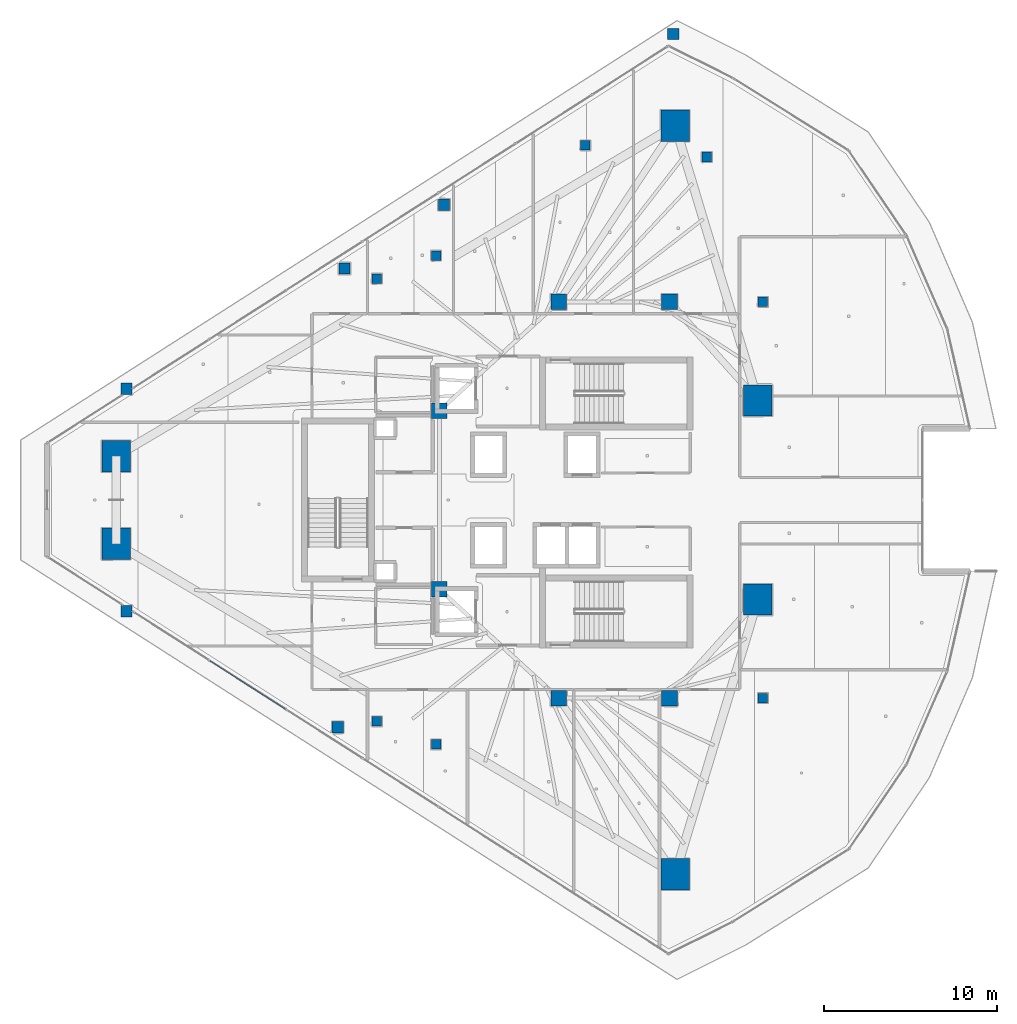
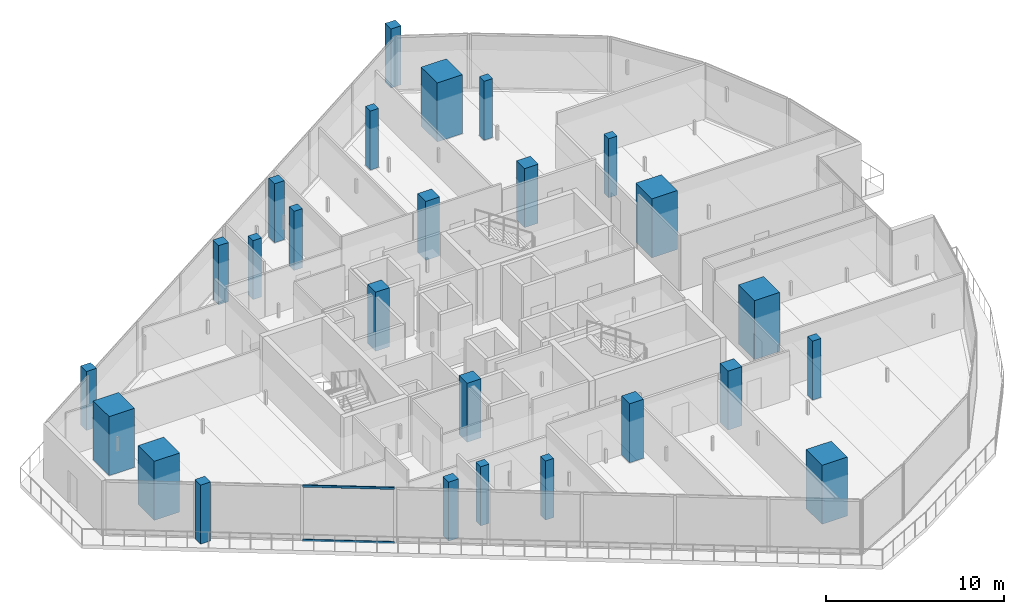
# One storey, part 1 of 33: 26 columns, 2 members, 1 element without a shape of its own.
"""IFC4 building model written with IfcOpenShell, lengths in metres."""

from ifc_helpers import new_model, si_unit, direction, frame, origin, origin_2d, place, context, subcontext, project, spatial, rectangle, hollow_rectangle, extrude, material, layer, layer_set, material_profile, profile_set, type_object, element, aggregate, save


model = new_model("IFC4")

# Units and contexts
model_context = context("Model", 3, precision=1e-05, world=origin(), true_north=direction((0.0, 1.0)))
body_context = subcontext(model_context, "Body", "Model", "MODEL_VIEW")
ifc_project = project(units=[si_unit("LENGTHUNIT", "METRE"), si_unit("AREAUNIT", "SQUARE_METRE"), si_unit("VOLUMEUNIT", "CUBIC_METRE"), si_unit("PLANEANGLEUNIT", "RADIAN"), si_unit("MASSUNIT", "GRAM", prefix="KILO")], contexts=[model_context])

# Site, building, storey
site_placement = place(None, origin())
site = spatial("IfcSite", under=ifc_project, at=site_placement, CompositionType="ELEMENT")
building_placement = place(site_placement, origin())
building = spatial("IfcBuilding", under=site, at=building_placement, Name="Qorvath Tower", CompositionType="ELEMENT")
storey_placement = place(building_placement, frame((0.0, 0.0, 237.449951171875)))
storey = spatial("IfcBuildingStorey", under=building, at=storey_placement, Name="L55", CompositionType="ELEMENT", Elevation=237.449951171875)

# Columns
ifc_material_1 = material(Name="Concrete C60/75", Category="concrete")
ifc_material_profile_1 = material_profile(ifc_material_1, rectangle(XDim=1.64990234375, YDim=1.800048828125, at=origin_2d()), Name="MC 1800x1650")
ifc_profile_set_1 = profile_set([ifc_material_profile_1], Name="Concrete C60/75")
column_type_1 = type_object("IfcColumnType", Name="COL-MC4", PredefinedType="COLUMN", material=ifc_profile_set_1)
for number, where, z_axis, x_axis, name in (
    (1, (-49.171875, 2.52783203125, 0.0), (0.0, 0.0, 1.0), (1.0, 0.0, 0.0), "Composite Mega-Column MC1 L55"),
    (2, (-49.171875, -2.52783203125, 0.0), (0.0, 0.0, 1.0), (1.0, 0.0, 0.0), "Composite Mega-Column MC2 L55"),
    (3, (-16.87158203125, -21.627197265625, 0.0), (0.0, 0.0, 1.0), (1.0, 0.0, 0.0), "Composite Mega-Column MC3 L55"),
    (4, (-12.0966796875, -5.7578125, 0.0), (0.0, 0.0, 1.0), (1.0, 0.0, 0.0), "Composite Mega-Column MC4 L55"),
    (5, (-12.0966796875, 5.7578125, 0.0), (0.0, 0.0, 1.0), (1.0, 0.0, 0.0), "Composite Mega-Column MC5 L55"),
    (6, (-16.87158203125, 21.627197265625, 0.0), (0.0, 0.0, 1.0), (1.0, 0.0, 0.0), "Composite Mega-Column MC6 L55"),
):
    element("IfcColumn", number, at=place(storey_placement, frame(where, z_axis=z_axis, x_axis=x_axis)), inside=storey, type_object=column_type_1, Name=name, PredefinedType="COLUMN", context=body_context, shape_type="SweptSolid", body=[
        extrude(rectangle(XDim=1.64990234375, YDim=1.800048828125, at=origin_2d()), origin(), (0.0, 0.0, 1.0), 4.050048828125),
    ])
ifc_material_2 = material(Name="Concrete C50/60", Category="concrete")
ifc_material_profile_2 = material_profile(ifc_material_2, rectangle(XDim=0.89990234375, YDim=0.89990234375, at=origin_2d()), Name="RC 900x900")
ifc_profile_set_2 = profile_set([ifc_material_profile_2], Name="Concrete C50/60")
column_type_2 = type_object("IfcColumnType", Name="COL-RC3", PredefinedType="COLUMN", material=ifc_profile_set_2)
for number, where, z_axis, x_axis, name in (
    (7, (-23.60009765625, 11.449951171875, 0.0), (0.0, 0.0, 1.0), (1.0, 0.0, 0.0), "Core Spine Column CC1 L55"),
    (8, (-17.199951171875, 11.449951171875, 0.0), (0.0, 0.0, 1.0), (1.0, 0.0, 0.0), "Core Spine Column CC2 L55"),
    (9, (-17.199951171875, -11.449951171875, 0.0), (0.0, 0.0, 1.0), (1.0, 0.0, 0.0), "Core Spine Column CC3 L55"),
    (10, (-23.60009765625, -11.449951171875, 0.0), (0.0, 0.0, 1.0), (1.0, 0.0, 0.0), "Core Spine Column CC4 L55"),
    (11, (-30.5, 5.14990234375, 0.0), (0.0, 0.0, 1.0), (1.0, 0.0, 0.0), "Core Spine Column CC5 L55"),
    (12, (-30.5, -5.14990234375, 0.0), (0.0, 0.0, 1.0), (1.0, 0.0, 0.0), "Core Spine Column CC6 L55"),
):
    element("IfcColumn", number, at=place(storey_placement, frame(where, z_axis=z_axis, x_axis=x_axis)), inside=storey, type_object=column_type_2, Name=name, PredefinedType="COLUMN", context=body_context, shape_type="SweptSolid", body=[
        extrude(rectangle(XDim=0.89990234375, YDim=0.89990234375, at=origin_2d()), origin(), (0.0, 0.0, 1.0), 4.050048828125),
    ])
ifc_material_3 = material(Name="Concrete C45/55", Category="concrete")
ifc_material_profile_3 = material_profile(ifc_material_3, rectangle(XDim=0.64990234375, YDim=0.64990234375, at=origin_2d()), Name="RC 650x650")
ifc_profile_set_3 = profile_set([ifc_material_profile_3], Name="Concrete C45/55")
column_type_3 = type_object("IfcColumnType", Name="COL-RC6", PredefinedType="COLUMN", material=ifc_profile_set_3)
for number, where, z_axis, x_axis, name in (
    (13, (-48.578369140625, 6.424560546875, 0.0), (0.0, 0.0, 1.0), (1.0, 0.0, 0.0), "Loggia Frame Pier Column LGE1 L55"),
    (14, (-48.578369140625, -6.424560546875, 0.0), (0.0, 0.0, 1.0), (1.0, 0.0, 0.0), "Loggia Frame Pier Column LGE2 L55"),
    (15, (-16.981201171875, 26.92919921875, 0.0), (0.0, 0.0, 1.0), (1.0, 0.0, 0.0), "Loggia Frame Pier Column LGE3 L55"),
    (16, (-35.980712890625, 13.380859375, 0.0), (0.0, 0.0, 1.0), (1.0, 0.0, 0.0), "Loggia Frame Pier Column LGF1 L55"),
    (17, (-36.36474609375, -13.135498046875, 0.0), (0.0, 0.0, 1.0), (1.0, 0.0, 0.0), "Loggia Frame Pier Column LGF2 L55"),
    (18, (-30.224853515625, 17.0595703125, 0.0), (0.0, 0.0, 1.0), (1.0, 0.0, 0.0), "Loggia Frame Pier Column LGF3 L55"),
):
    element("IfcColumn", number, at=place(storey_placement, frame(where, z_axis=z_axis, x_axis=x_axis)), inside=storey, type_object=column_type_3, Name=name, PredefinedType="COLUMN", context=body_context, shape_type="SweptSolid", body=[
        extrude(rectangle(XDim=0.64990234375, YDim=0.64990234375, at=origin_2d()), origin(), (0.0, 0.0, 1.0), 4.050048828125),
    ])
ifc_material_4 = material(Name="Concrete C45/55", Category="concrete")
ifc_material_profile_4 = material_profile(ifc_material_4, rectangle(XDim=0.550048828125, YDim=0.550048828125, at=origin_2d()), Name="RC 550x550")
ifc_profile_set_4 = profile_set([ifc_material_profile_4], Name="Concrete C45/55")
column_type_4 = type_object("IfcColumnType", Name="COL-RC7", PredefinedType="COLUMN", material=ifc_profile_set_4)
for number, where, z_axis, x_axis, name in (
    (19, (-34.104248046875, 12.79248046875, 0.0), (0.0, 0.0, 1.0), (1.0, 0.0, 0.0), "Loggia Frame Pier Column LGG1 L55"),
    (20, (-34.104248046875, -12.79248046875, 0.0), (0.0, 0.0, 1.0), (1.0, 0.0, 0.0), "Loggia Frame Pier Column LGG2 L55"),
    (21, (-22.05322265625, 20.494873046875, 0.0), (0.0, 0.0, 1.0), (1.0, 0.0, 0.0), "Loggia Frame Pier Column LGG3 L55"),
    (22, (-30.67724609375, 14.124267578125, 0.0), (0.0, 0.0, 1.0), (1.0, 0.0, 0.0), "Loggia Frame Pier Column LGH1 L55"),
    (23, (-30.67724609375, -14.124267578125, 0.0), (0.0, 0.0, 1.0), (1.0, 0.0, 0.0), "Loggia Frame Pier Column LGH2 L55"),
    (24, (-15.046142578125, 19.818115234375, 0.0), (0.0, 0.0, 1.0), (1.0, 0.0, 0.0), "Loggia Frame Pier Column LGH3 L55"),
    (25, (-11.800048828125, -11.449951171875, 0.0), (0.0, 0.0, 1.0), (1.0, 0.0, 0.0), "Central Slot Jamb Column SC1 L55"),
    (26, (-11.800048828125, 11.449951171875, 0.0), (0.0, 0.0, 1.0), (1.0, 0.0, 0.0), "Central Slot Jamb Column SC2 L55"),
):
    element("IfcColumn", number, at=place(storey_placement, frame(where, z_axis=z_axis, x_axis=x_axis)), inside=storey, type_object=column_type_4, Name=name, PredefinedType="COLUMN", context=body_context, shape_type="SweptSolid", body=[
        extrude(rectangle(XDim=0.550048828125, YDim=0.550048828125, at=origin_2d()), origin(), (0.0, 0.0, 1.0), 4.050048828125),
    ])

# Curtain wall, members
ifc_material_5 = material(Name="Anodised aluminium and triple low-E glass", Category="aluminium")
ifc_layer = layer(ifc_material_5, 0.179931640625)
ifc_layer_set = layer_set([ifc_layer], Name="CW-SYS-3")
curtain_wall_type = type_object("IfcCurtainWallType", Name="CW-SYS-3", PredefinedType="NOTDEFINED", material=ifc_layer_set)
curtain_wall_placement = place(storey_placement, origin())
curtain_wall = element("IfcCurtainWall", 27, at=curtain_wall_placement, inside=storey, type_object=curtain_wall_type, Name="Curtain Wall CW-3 CW-T-L55-2.2", PredefinedType="NOTDEFINED")
ifc_material_6 = material(Name="Anodised aluminium 6063-T6", Category="aluminium")
ifc_material_profile_5 = material_profile(ifc_material_6, hollow_rectangle(XDim=0.06494140625, YDim=0.159912109375, WallThickness=0.00341796875, InnerFilletRadius=0.00341796875, OuterFilletRadius=0.007080078125, at=origin_2d()), Name="CWT 160x65")
ifc_profile_set_5 = profile_set([ifc_material_profile_5], Name="Anodised aluminium 6063-T6")
member_type = type_object("IfcMemberType", Name="CWT-160", PredefinedType="USERDEFINED", material=ifc_profile_set_5)
member_1_placement = place(storey_placement, frame((-43.759521484375, -9.290771484375, 0.032470703125), z_axis=(0.842606602471, -0.538529584584, 0.0), x_axis=(0.538529584584, 0.842606602471, 0.0)))
member_1 = element("IfcMember", 28, at=member_1_placement, type_object=member_type, Name="CW-3 transom 2.1", ObjectType="TRANSOM", PredefinedType="USERDEFINED", context=body_context, shape_type="SweptSolid", body=[
    extrude(hollow_rectangle(XDim=0.06494140625, YDim=0.159912109375, WallThickness=0.00341796875, InnerFilletRadius=0.00341796875, OuterFilletRadius=0.007080078125, at=origin_2d()), origin(), (0.0, 0.0, 1.0), 5.1826171875),
])
member_2_placement = place(storey_placement, frame((-43.759521484375, -9.290771484375, 3.74755859375), z_axis=(0.842606602471, -0.538529584584, 0.0), x_axis=(0.538529584584, 0.842606602471, 0.0)))
member_2 = element("IfcMember", 29, at=member_2_placement, type_object=member_type, Name="CW-3 transom 2.2", ObjectType="TRANSOM", PredefinedType="USERDEFINED", context=body_context, shape_type="SweptSolid", body=[
    extrude(hollow_rectangle(XDim=0.06494140625, YDim=0.159912109375, WallThickness=0.00341796875, InnerFilletRadius=0.00341796875, OuterFilletRadius=0.007080078125, at=origin_2d()), origin(), (0.0, 0.0, 1.0), 5.1826171875),
])
aggregate(curtain_wall, [member_1, member_2])

save(model, "model.ifc")
